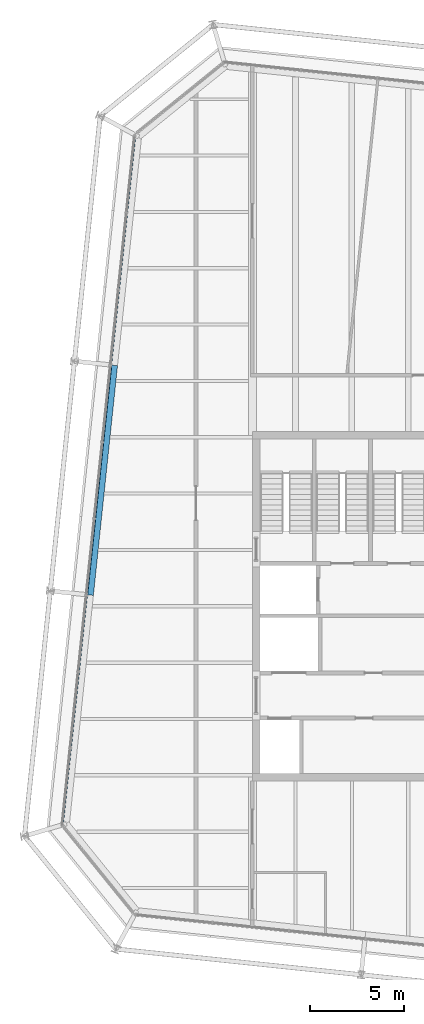
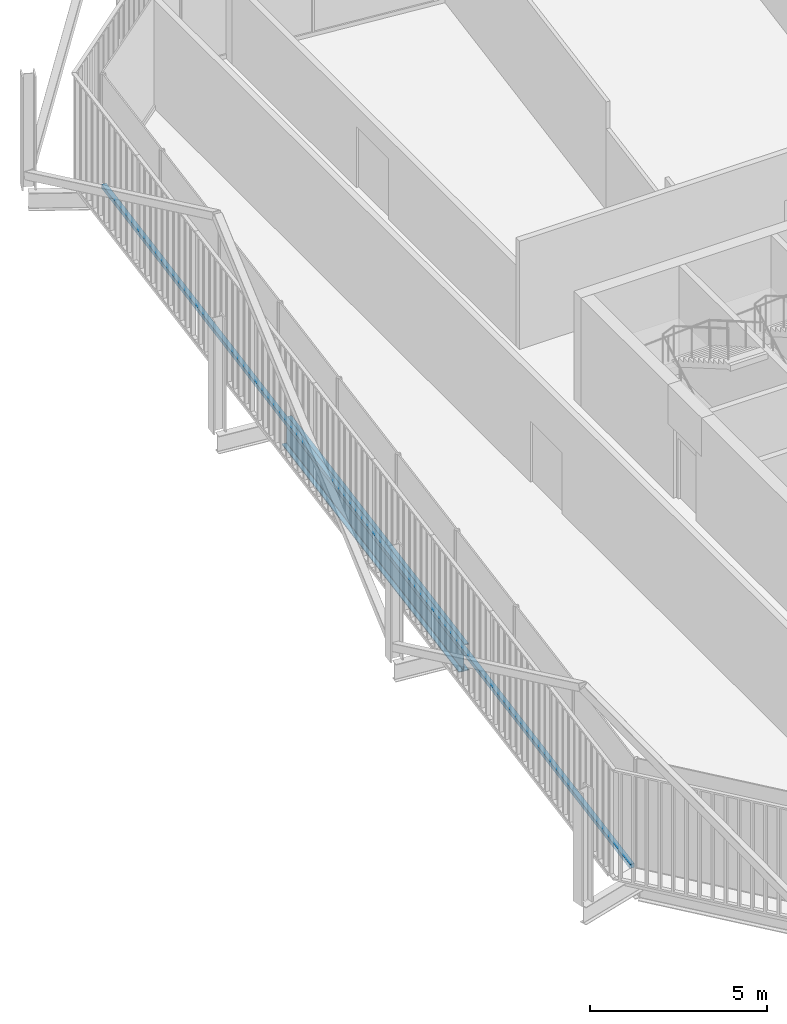
# One storey, part 7 of 21: 1 beam, 1 member, 1 element without a shape of its own.
"""IFC4 building model written with IfcOpenShell, lengths in metres."""

from ifc_helpers import new_model, si_unit, direction, frame, origin, origin_2d, place, context, subcontext, project, spatial, rectangle, i_section, extrude, material, layer, layer_set, material_profile, profile_set, type_object, element, aggregate, save


model = new_model("IFC4")

# Units and contexts
model_context = context("Model", 3, precision=1e-05, world=origin(), true_north=direction((0.0, 1.0)))
body_context = subcontext(model_context, "Body", "Model", "MODEL_VIEW")
ifc_project = project(units=[si_unit("LENGTHUNIT", "METRE"), si_unit("AREAUNIT", "SQUARE_METRE"), si_unit("VOLUMEUNIT", "CUBIC_METRE"), si_unit("PLANEANGLEUNIT", "RADIAN"), si_unit("MASSUNIT", "GRAM", prefix="KILO")], contexts=[model_context])

# Site, building, storey
site_placement = place(None, origin())
site = spatial("IfcSite", under=ifc_project, at=site_placement, CompositionType="ELEMENT")
building_placement = place(site_placement, origin())
building = spatial("IfcBuilding", under=site, at=building_placement, Name="Millrace Tower", CompositionType="ELEMENT")
storey_placement = place(building_placement, frame((0.0, 0.0, 283.800048828125)))
storey = spatial("IfcBuildingStorey", under=building, at=storey_placement, Name="L65", CompositionType="ELEMENT", Elevation=283.800048828125)

# Curtain wall, member
ifc_material_1 = material(Name="Aluminium and glass", Category="aluminium")
ifc_layer = layer(ifc_material_1, 0.14990234375)
ifc_layer_set = layer_set([ifc_layer], Name="Aluminium and glass")
curtain_wall_type = type_object("IfcCurtainWallType", Name="CW-1 office vision curtain wall", PredefinedType="NOTDEFINED", material=ifc_layer_set)
curtain_wall_placement = place(storey_placement, origin())
curtain_wall = element("IfcCurtainWall", 1, at=curtain_wall_placement, inside=storey, type_object=curtain_wall_type, Name="Curtain wall E-F08 L65", PredefinedType="NOTDEFINED")
ifc_material_2 = material(Name="Aluminium", Category="aluminium")
ifc_material_profile_1 = material_profile(ifc_material_2, rectangle(XDim=0.14990234375, YDim=0.139892578125, at=origin_2d()))
ifc_profile_set_1 = profile_set([ifc_material_profile_1], Name="Aluminium")
member_type = type_object("IfcMemberType", Name="CW-1 office vision curtain wall transom", PredefinedType="USERDEFINED", material=ifc_profile_set_1)
member_placement = place(storey_placement, frame((-20.581787109375, 24.9853515625, 0.070068359375), z_axis=(-0.104527916025, -0.994521952886, 0.0), x_axis=(0.994521952886, -0.104527916025, 0.0)))
member = element("IfcMember", 2, at=member_placement, type_object=member_type, Name="CW1 transom E-F08.1", ObjectType="TRANSOM", PredefinedType="USERDEFINED", context=body_context, shape_type="SweptSolid", body=[
    extrude(rectangle(XDim=0.14990234375, YDim=0.139892578125, at=origin_2d()), origin(), (0.0, 0.0, 1.0), 36.699951171875),
])
aggregate(curtain_wall, [member])

# Beam
ifc_material_3 = material(Name="Steel ASTM A992 Grade 50", Category="steel")
ifc_material_profile_2 = material_profile(ifc_material_3, i_section(OverallWidth=0.307373046875, OverallDepth=0.927001953125, WebThickness=0.01953125, FlangeThickness=0.031982421875, FilletRadius=0.01904296875, at=origin_2d()))
ifc_profile_set_2 = profile_set([ifc_material_profile_2], Name="Steel ASTM A992 Grade 50")
beam_type = type_object("IfcBeamType", Name="Ring beam medium span W36x194", PredefinedType="SPANDREL", material=ifc_profile_set_2)
beam_placement = place(storey_placement, frame((-22.915283203125, 0.595703125, -0.62353515625), z_axis=(0.104523600289, 0.994522406476, 0.0), x_axis=(-0.994522406476, 0.104523600289, 0.0)))
element("IfcBeam", 3, at=beam_placement, inside=storey, type_object=beam_type, Name="RNG-E-L65-S1-02", PredefinedType="SPANDREL", context=body_context, shape_type="SweptSolid", body=[
    extrude(i_section(OverallWidth=0.307373046875, OverallDepth=0.927001953125, WebThickness=0.01953125, FlangeThickness=0.031982421875, FilletRadius=0.01904296875, at=origin_2d()), origin(), (0.0, 0.0, 1.0), 12.300048828125),
])

save(model, "model.ifc")
